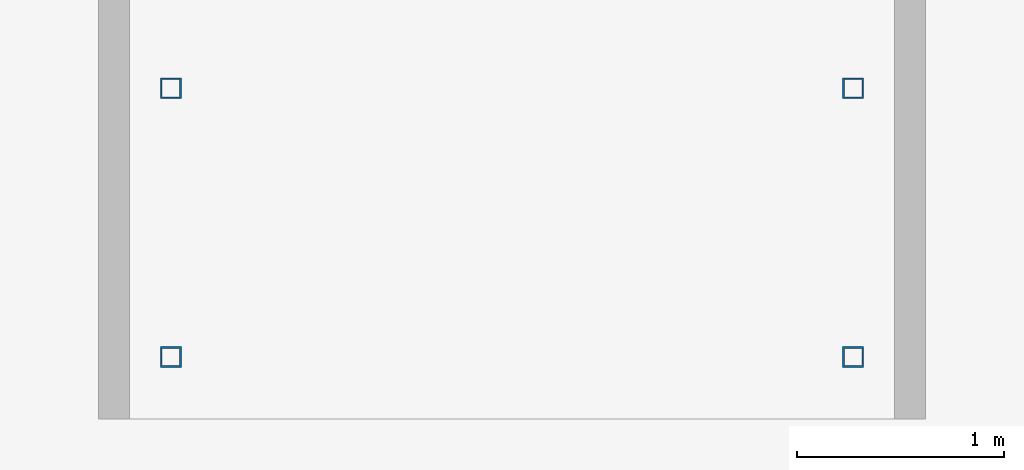
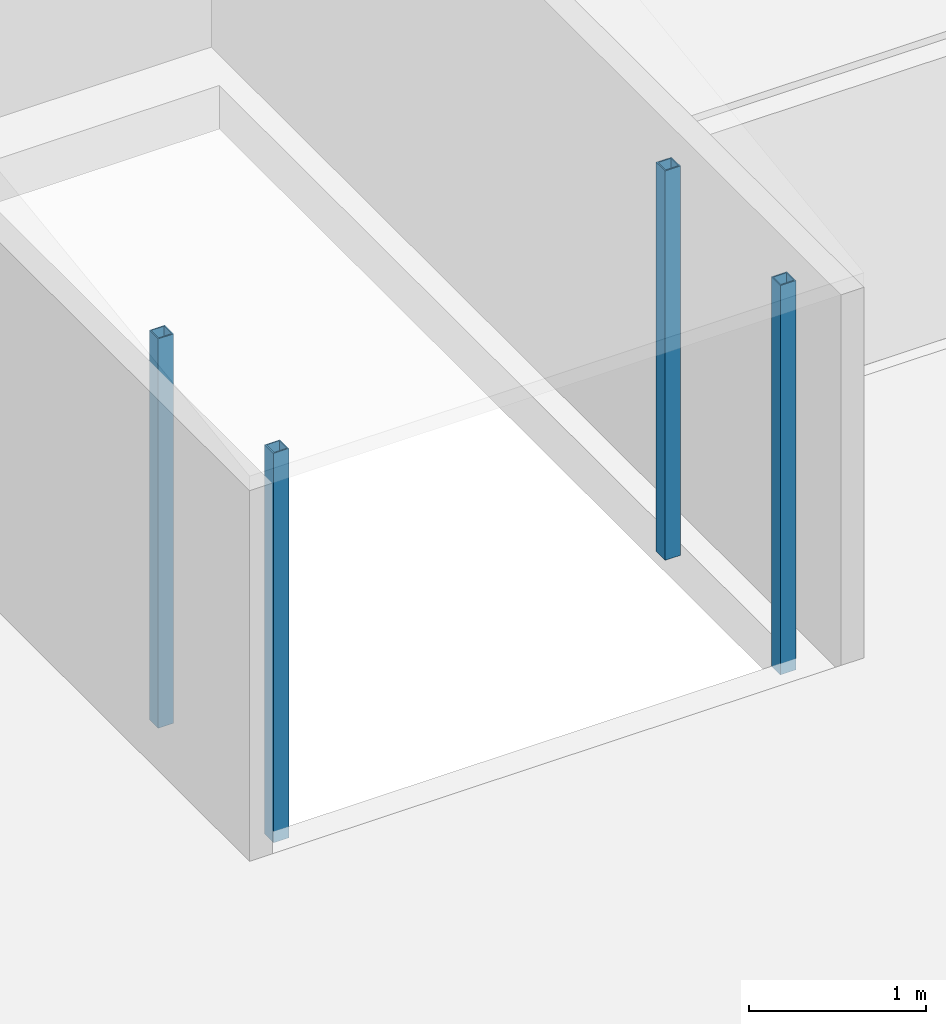
# One storey, part 1 of 84: 4 columns.
"""IFC4 building model written with IfcOpenShell, lengths in metres."""

from ifc_helpers import new_model, si_unit, direction, frame, origin, origin_2d, place, context, subcontext, project, spatial, hollow_rectangle, extrude, material, material_profile, profile_set, type_object, element, save


model = new_model("IFC4")

# Units and contexts
model_context = context("Model", 3, precision=1e-05, world=origin(), true_north=direction((0.0, 1.0)))
body_context = subcontext(model_context, "Body", "Model", "MODEL_VIEW")
ifc_project = project(units=[si_unit("LENGTHUNIT", "METRE"), si_unit("AREAUNIT", "SQUARE_METRE"), si_unit("VOLUMEUNIT", "CUBIC_METRE"), si_unit("PLANEANGLEUNIT", "RADIAN"), si_unit("MASSUNIT", "GRAM", prefix="KILO")], contexts=[model_context])

# Site, building, storey
site_placement = place(None, origin())
site = spatial("IfcSite", under=ifc_project, at=site_placement, CompositionType="ELEMENT")
building_placement = place(site_placement, origin())
building = spatial("IfcBuilding", under=site, at=building_placement, Name="Silverbay Arena", CompositionType="ELEMENT")
storey_placement = place(building_placement, frame((0.0, 0.0, 47.10009765625)))
storey = spatial("IfcBuildingStorey", under=building, at=storey_placement, Name="ROOF", CompositionType="ELEMENT", Elevation=47.10009765625)

# Columns
ifc_material = material(Name="Steel S355", Category="steel")
ifc_material_profile = material_profile(ifc_material, hollow_rectangle(XDim=0.10009765625, YDim=0.10009765625, WallThickness=0.008056640625, at=origin_2d()), Name="SHS 100x100x8")
ifc_profile_set = profile_set([ifc_material_profile], Name="Steel S355")
column_type = type_object("IfcColumnType", Name="Roof shelter post SHS 100x100x8", PredefinedType="COLUMN", material=ifc_profile_set)
for number, where, z_axis, x_axis, name in (
    (1, (68.050048828125, 67.050048828125, -0.080078125), (0.0, 0.0, 1.0), (1.0, 0.0, 0.0), "Roof shelter RH1 post 1"),
    (2, (71.35009765625, 67.050048828125, -0.080078125), (0.0, 0.0, 1.0), (1.0, 0.0, 0.0), "Roof shelter RH1 post 2"),
    (3, (68.050048828125, 68.35009765625, -0.080078125), (0.0, 0.0, 1.0), (1.0, 0.0, 0.0), "Roof shelter RH1 post 3"),
    (4, (71.35009765625, 68.35009765625, -0.080078125), (0.0, 0.0, 1.0), (1.0, 0.0, 0.0), "Roof shelter RH1 post 4"),
):
    element("IfcColumn", number, at=place(storey_placement, frame(where, z_axis=z_axis, x_axis=x_axis)), inside=storey, type_object=column_type, Name=name, PredefinedType="COLUMN", context=body_context, shape_type="SweptSolid", body=[
        extrude(hollow_rectangle(XDim=0.10009765625, YDim=0.10009765625, WallThickness=0.008056640625, at=origin_2d()), origin(), (0.0, 0.0, 1.0), 2.679931640625),
    ])

save(model, "model.ifc")
